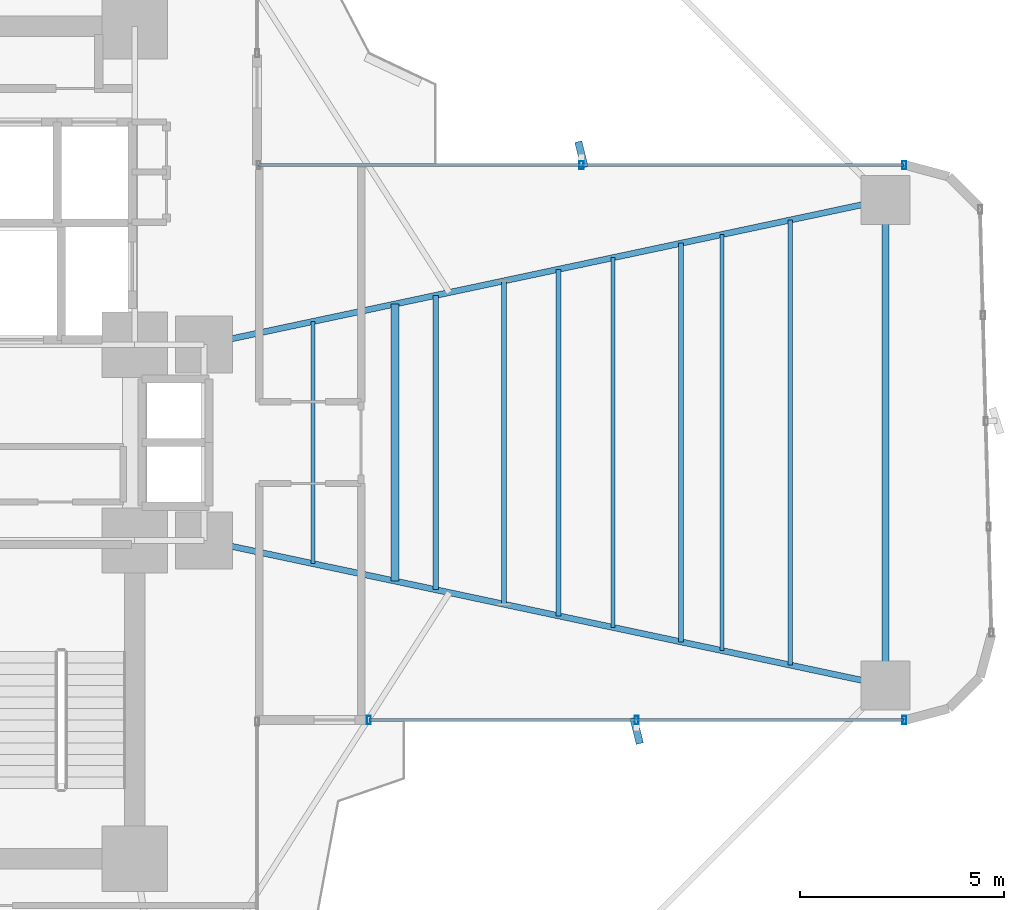
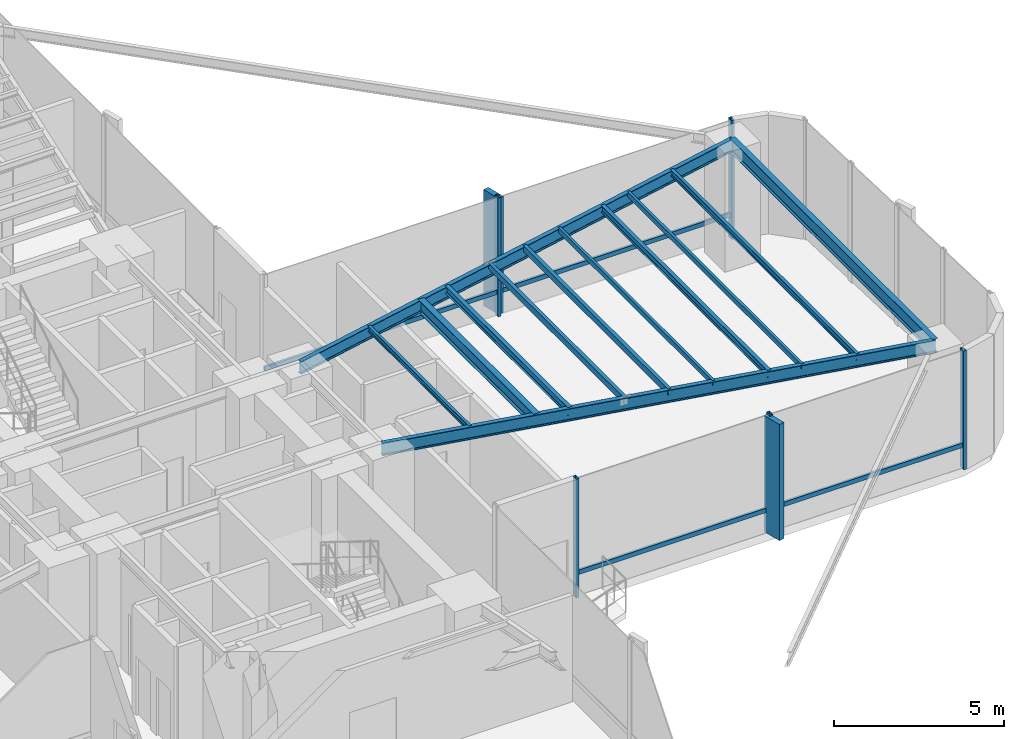
# One storey, part 9 of 20: 12 beams, 11 members, 2 elements without a shape of their own.
"""IFC4 building model written with IfcOpenShell, lengths in metres."""

from ifc_helpers import new_model, si_unit, direction, frame, origin, origin_2d, place, context, subcontext, project, spatial, rectangle, hollow_rectangle, i_section, extrude, source, transform, mapped, material, material_profile, profile_set, type_object, element, aggregate, save


model = new_model("IFC4")

# Units and contexts
model_context = context("Model", 3, precision=1e-05, world=origin(), true_north=direction((0.0, 1.0)))
body_context = subcontext(model_context, "Body", "Model", "MODEL_VIEW")
ifc_project = project(units=[si_unit("LENGTHUNIT", "METRE"), si_unit("AREAUNIT", "SQUARE_METRE"), si_unit("VOLUMEUNIT", "CUBIC_METRE"), si_unit("PLANEANGLEUNIT", "RADIAN"), si_unit("MASSUNIT", "GRAM", prefix="KILO")], contexts=[model_context])

# Site, building, storey
site_placement = place(None, origin())
site = spatial("IfcSite", under=ifc_project, at=site_placement, CompositionType="ELEMENT")
building_placement = place(site_placement, origin())
building = spatial("IfcBuilding", under=site, at=building_placement, Name="Sahyath Konkavel Grand Hotel", CompositionType="ELEMENT")
storey_placement = place(building_placement, frame((0.0, 0.0, 46.550048828125)))
storey = spatial("IfcBuildingStorey", under=building, at=storey_placement, Name="L12", CompositionType="ELEMENT", Elevation=46.550048828125)

# Beams
ifc_material_1 = material(Name="Steel E350", Category="steel")
ifc_material_profile_1 = material_profile(ifc_material_1, i_section(OverallWidth=0.179931640625, OverallDepth=0.5, WebThickness=0.01025390625, FlangeThickness=0.01708984375, FilletRadius=0.01708984375, at=origin_2d()), Name="ISMB 500")
ifc_profile_set_1 = profile_set([ifc_material_profile_1], Name="Steel E350")
beam_type_1 = type_object("IfcBeamType", Name="BM-ISMB500", PredefinedType="BEAM", material=ifc_profile_set_1)
shared_shape_1 = source(origin(), body_context, "Body", "SweptSolid", [
    extrude(i_section(OverallWidth=0.179931640625, OverallDepth=0.5, WebThickness=0.01025390625, FlangeThickness=0.01708984375, FilletRadius=0.01708984375, at=origin_2d()), origin(), (0.0, 0.0, 1.0), 11.89990234375),
])
beam_1_placement = place(storey_placement, frame((22.199951171875, -5.949951171875, 4.010009765625), z_axis=(0.0, 1.0, 0.0), x_axis=(-1.0, 0.0, 0.0)))
element("IfcBeam", 1, at=beam_1_placement, inside=storey, type_object=beam_type_1, Name="L12 Wing Tip Edge Beam E", PredefinedType="BEAM", context=body_context, shape_type="MappedRepresentation", body=[
    mapped(shared_shape_1, transform((0.0, 0.0, 0.0), scale=1.0)),
])
ifc_material_profile_2 = material_profile(ifc_material_1, i_section(OverallWidth=0.14990234375, OverallDepth=0.449951171875, WebThickness=0.009521484375, FlangeThickness=0.017333984375, FilletRadius=0.014892578125, at=origin_2d()), Name="ISMB 450")
ifc_profile_set_2 = profile_set([ifc_material_profile_2], Name="Steel E350")
beam_type_2 = type_object("IfcBeamType", Name="BM-ISMB450", PredefinedType="BEAM", material=ifc_profile_set_2)
shared_shape_2 = source(origin(), body_context, "Body", "SweptSolid", [
    extrude(i_section(OverallWidth=0.14990234375, OverallDepth=0.449951171875, WebThickness=0.009521484375, FlangeThickness=0.017333984375, FilletRadius=0.014892578125, at=origin_2d()), origin(), (0.0, 0.0, 1.0), 17.072998046875),
])
for number, where, z_axis, x_axis, name in (
    (2, (5.5, -2.39990234375, 4.034912109375), (0.978143257225, -0.20793212437, 0.0), (0.20793212437, 0.978143257225, 0.0), "L12 Cruciform Radial Girder EA"),
    (3, (5.5, 2.39990234375, 4.034912109375), (0.978143257225, 0.20793212437, 0.0), (-0.20793212437, 0.978143257225, 0.0), "L12 Cruciform Radial Girder EB"),
):
    element("IfcBeam", number, at=place(storey_placement, frame(where, z_axis=z_axis, x_axis=x_axis)), inside=storey, type_object=beam_type_2, Name=name, PredefinedType="BEAM", context=body_context, shape_type="MappedRepresentation", body=[
        mapped(shared_shape_2, transform((0.0, 0.0, 0.0), scale=1.0)),
    ])
ifc_material_profile_3 = material_profile(ifc_material_1, i_section(OverallWidth=0.199951171875, OverallDepth=0.449951171875, WebThickness=0.00927734375, FlangeThickness=0.015380859375, FilletRadius=0.01611328125, at=origin_2d()), Name="ISWB 450")
ifc_profile_set_3 = profile_set([ifc_material_profile_3], Name="Steel E350")
beam_type_3 = type_object("IfcBeamType", Name="BM-ISWB450", PredefinedType="BEAM", material=ifc_profile_set_3)
shared_shape_3 = source(origin(), body_context, "Body", "SweptSolid", [
    extrude(i_section(OverallWidth=0.199951171875, OverallDepth=0.449951171875, WebThickness=0.00927734375, FlangeThickness=0.015380859375, FilletRadius=0.01611328125, at=origin_2d()), origin(), (0.0, 0.0, 1.0), 6.7880859375),
])
beam_2_placement = place(storey_placement, frame((10.176025390625, -3.39404296875, 4.034912109375), z_axis=(0.0, 1.0, 0.0), x_axis=(-1.0, 0.0, 0.0)))
element("IfcBeam", 4, at=beam_2_placement, inside=storey, type_object=beam_type_3, Name="L12 Secondary Floor Beam E-1", PredefinedType="BEAM", context=body_context, shape_type="MappedRepresentation", body=[
    mapped(shared_shape_3, transform((0.0, 0.0, 0.0), scale=1.0)),
])
ifc_material_profile_4 = material_profile(ifc_material_1, hollow_rectangle(XDim=0.1201171875, YDim=0.219970703125, WallThickness=0.010009765625, at=origin_2d()), Name="RHS 220x120x10")
ifc_profile_set_4 = profile_set([ifc_material_profile_4], Name="Steel E350")
beam_type_4 = type_object("IfcBeamType", Name="BM-RHS220", PredefinedType="BEAM", material=ifc_profile_set_4)
shared_shape_4 = source(origin(), body_context, "Body", "SweptSolid", [
    extrude(hollow_rectangle(XDim=0.1201171875, YDim=0.219970703125, WallThickness=0.010009765625, at=origin_2d()), origin(), (0.0, 0.0, 1.0), 8.4921875),
])
beam_3_placement = place(storey_placement, frame((14.18408203125, -4.24609375, 4.14990234375), z_axis=(0.0, 1.0, 0.0), x_axis=(-1.0, 0.0, 0.0)))
element("IfcBeam", 5, at=beam_3_placement, inside=storey, type_object=beam_type_4, Name="L12 Secondary Floor Beam E-2", PredefinedType="BEAM", context=body_context, shape_type="MappedRepresentation", body=[
    mapped(shared_shape_4, transform((0.0, 0.0, 0.0), scale=1.0)),
])
ifc_material_profile_5 = material_profile(ifc_material_1, hollow_rectangle(XDim=0.090087890625, YDim=0.179931640625, WallThickness=0.008056640625, at=origin_2d()), Name="RHS 180x90x8")
ifc_profile_set_5 = profile_set([ifc_material_profile_5], Name="Steel E350")
beam_type_5 = type_object("IfcBeamType", Name="BM-RHS180", PredefinedType="BEAM", material=ifc_profile_set_5)
shared_shape_5 = source(origin(), body_context, "Body", "SweptSolid", [
    extrude(hollow_rectangle(XDim=0.090087890625, YDim=0.179931640625, WallThickness=0.008056640625, at=origin_2d()), origin(), (0.0, 0.0, 1.0), 10.19580078125),
])
beam_4_placement = place(storey_placement, frame((18.19189453125, -5.097900390625, 4.169921875), z_axis=(0.0, 1.0, 0.0), x_axis=(-1.0, 0.0, 0.0)))
element("IfcBeam", 6, at=beam_4_placement, inside=storey, type_object=beam_type_5, Name="L12 Secondary Floor Beam E-3", PredefinedType="BEAM", context=body_context, shape_type="MappedRepresentation", body=[
    mapped(shared_shape_5, transform((0.0, 0.0, 0.0), scale=1.0)),
])
ifc_material_profile_6 = material_profile(ifc_material_1, i_section(OverallWidth=0.10009765625, OverallDepth=0.199951171875, WebThickness=0.005615234375, FlangeThickness=0.0107421875, FilletRadius=0.010986328125, at=origin_2d()), Name="ISMB 200")
ifc_profile_set_6 = profile_set([ifc_material_profile_6], Name="Steel E350")
beam_type_6 = type_object("IfcBeamType", Name="BM-ISMB200", PredefinedType="BEAM", material=ifc_profile_set_6)
shared_shape_6 = source(origin(), body_context, "Body", "SweptSolid", [
    extrude(i_section(OverallWidth=0.10009765625, OverallDepth=0.199951171875, WebThickness=0.005615234375, FlangeThickness=0.0107421875, FilletRadius=0.010986328125, at=origin_2d()), origin(), (0.0, 0.0, 1.0), 5.93603515625),
])
beam_5_placement = place(storey_placement, frame((8.172119140625, -2.968017578125, 4.159912109375), z_axis=(0.0, 1.0, 0.0), x_axis=(-1.0, 0.0, 0.0)))
element("IfcBeam", 7, at=beam_5_placement, inside=storey, type_object=beam_type_6, Name="L12 Composite Deck Sub-Beam E-1", PredefinedType="BEAM", context=body_context, shape_type="MappedRepresentation", body=[
    mapped(shared_shape_6, transform((0.0, 0.0, 0.0), scale=1.0)),
])
ifc_material_profile_7 = material_profile(ifc_material_1, i_section(OverallWidth=0.139892578125, OverallDepth=0.27490234375, WebThickness=0.00634765625, FlangeThickness=0.0087890625, FilletRadius=0.012939453125, at=origin_2d()), Name="ISLB 275")
ifc_profile_set_7 = profile_set([ifc_material_profile_7], Name="Steel E350")
beam_type_7 = type_object("IfcBeamType", Name="BM-ISLB275", PredefinedType="BEAM", material=ifc_profile_set_7)
shared_shape_7 = source(origin(), body_context, "Body", "SweptSolid", [
    extrude(i_section(OverallWidth=0.139892578125, OverallDepth=0.27490234375, WebThickness=0.00634765625, FlangeThickness=0.0087890625, FilletRadius=0.012939453125, at=origin_2d()), origin(), (0.0, 0.0, 1.0), 7.2138671875),
])
beam_6_placement = place(storey_placement, frame((11.177978515625, -3.60693359375, 4.12255859375), z_axis=(0.0, 1.0, 0.0), x_axis=(-1.0, 0.0, 0.0)))
element("IfcBeam", 8, at=beam_6_placement, inside=storey, type_object=beam_type_7, Name="L12 Composite Deck Sub-Beam E-2", PredefinedType="BEAM", context=body_context, shape_type="MappedRepresentation", body=[
    mapped(shared_shape_7, transform((0.0, 0.0, 0.0), scale=1.0)),
])
shared_shape_8 = source(origin(), body_context, "Body", "SweptSolid", [
    extrude(hollow_rectangle(XDim=0.1201171875, YDim=0.219970703125, WallThickness=0.010009765625, at=origin_2d()), origin(), (0.0, 0.0, 1.0), 7.923828125),
])
beam_7_placement = place(storey_placement, frame((12.847900390625, -3.9619140625, 4.14990234375), z_axis=(0.0, 1.0, 0.0), x_axis=(-1.0, 0.0, 0.0)))
element("IfcBeam", 9, at=beam_7_placement, inside=storey, type_object=beam_type_4, Name="L12 Composite Deck Sub-Beam E-3", PredefinedType="BEAM", context=body_context, shape_type="MappedRepresentation", body=[
    mapped(shared_shape_8, transform((0.0, 0.0, 0.0), scale=1.0)),
])
shared_shape_9 = source(origin(), body_context, "Body", "SweptSolid", [
    extrude(hollow_rectangle(XDim=0.090087890625, YDim=0.179931640625, WallThickness=0.008056640625, at=origin_2d()), origin(), (0.0, 0.0, 1.0), 9.06005859375),
])
beam_8_placement = place(storey_placement, frame((15.52001953125, -4.530029296875, 4.169921875), z_axis=(0.0, 1.0, 0.0), x_axis=(-1.0, 0.0, 0.0)))
element("IfcBeam", 10, at=beam_8_placement, inside=storey, type_object=beam_type_5, Name="L12 Composite Deck Sub-Beam E-4", PredefinedType="BEAM", context=body_context, shape_type="MappedRepresentation", body=[
    mapped(shared_shape_9, transform((0.0, 0.0, 0.0), scale=1.0)),
])
ifc_material_profile_8 = material_profile(ifc_material_1, i_section(OverallWidth=0.125, OverallDepth=0.25, WebThickness=0.0068359375, FlangeThickness=0.012451171875, FilletRadius=0.012939453125, at=origin_2d()), Name="ISMB 250")
ifc_profile_set_8 = profile_set([ifc_material_profile_8], Name="Steel E350")
beam_type_8 = type_object("IfcBeamType", Name="BM-ISMB250", PredefinedType="BEAM", material=ifc_profile_set_8)
shared_shape_10 = source(origin(), body_context, "Body", "SweptSolid", [
    extrude(i_section(OverallWidth=0.125, OverallDepth=0.25, WebThickness=0.0068359375, FlangeThickness=0.012451171875, FilletRadius=0.012939453125, at=origin_2d()), origin(), (0.0, 0.0, 1.0), 9.77001953125),
])
beam_9_placement = place(storey_placement, frame((17.18994140625, -4.885009765625, 4.135009765625), z_axis=(0.0, 1.0, 0.0), x_axis=(-1.0, 0.0, 0.0)))
element("IfcBeam", 11, at=beam_9_placement, inside=storey, type_object=beam_type_8, Name="L12 Composite Deck Sub-Beam E-5", PredefinedType="BEAM", context=body_context, shape_type="MappedRepresentation", body=[
    mapped(shared_shape_10, transform((0.0, 0.0, 0.0), scale=1.0)),
])
ifc_material_profile_9 = material_profile(ifc_material_1, i_section(OverallWidth=0.110107421875, OverallDepth=0.22509765625, WebThickness=0.006591796875, FlangeThickness=0.01171875, FilletRadius=0.011962890625, at=origin_2d()), Name="ISMB 225")
ifc_profile_set_9 = profile_set([ifc_material_profile_9], Name="Steel E350")
beam_type_9 = type_object("IfcBeamType", Name="BM-ISMB225", PredefinedType="BEAM", material=ifc_profile_set_9)
shared_shape_11 = source(origin(), body_context, "Body", "SweptSolid", [
    extrude(i_section(OverallWidth=0.110107421875, OverallDepth=0.22509765625, WebThickness=0.006591796875, FlangeThickness=0.01171875, FilletRadius=0.011962890625, at=origin_2d()), origin(), (0.0, 0.0, 1.0), 10.90576171875),
])
beam_10_placement = place(storey_placement, frame((19.862060546875, -5.452880859375, 4.1474609375), z_axis=(0.0, 1.0, 0.0), x_axis=(-1.0, 0.0, 0.0)))
element("IfcBeam", 12, at=beam_10_placement, inside=storey, type_object=beam_type_9, Name="L12 Composite Deck Sub-Beam E-6", PredefinedType="BEAM", context=body_context, shape_type="MappedRepresentation", body=[
    mapped(shared_shape_11, transform((0.0, 0.0, 0.0), scale=1.0)),
])

# Curtain wall, members
ifc_material_2 = material(Name="Anodised Bronze Aluminium & Low-E Glazing", Category="aluminium")
curtain_wall_type = type_object("IfcCurtainWallType", Name="CW-SKYLOBBY", PredefinedType="NOTDEFINED", material=ifc_material_2)
curtain_wall_1_placement = place(storey_placement, origin())
curtain_wall_1 = element("IfcCurtainWall", 13, at=curtain_wall_1_placement, inside=storey, type_object=curtain_wall_type, Name="L12 Unitised Curtain Wall F0", PredefinedType="NOTDEFINED")
ifc_material_3 = material(Name="Anodised Bronze Aluminium", Category="aluminium")
ifc_material_profile_10 = material_profile(ifc_material_3, hollow_rectangle(XDim=0.10009765625, YDim=0.199951171875, WallThickness=0.008056640625, at=origin_2d()), Name="RHS 200x100x8")
ifc_profile_set_10 = profile_set([ifc_material_profile_10], Name="Anodised Bronze Aluminium")
member_type_1 = type_object("IfcMemberType", Name="CW-MUL-200", PredefinedType="MULLION", material=ifc_profile_set_10)
shared_shape_12 = source(origin(), body_context, "Body", "SweptSolid", [
    extrude(hollow_rectangle(XDim=0.10009765625, YDim=0.199951171875, WallThickness=0.008056640625, at=origin_2d()), origin(), (0.0, 0.0, 1.0), 4.260009765625),
])
member_1_placement = place(storey_placement, frame((9.5400390625, -6.800048828125, 0.0), z_axis=(0.0, 0.0, 1.0), x_axis=(1.0, 0.0, 0.0)))
member_1 = element("IfcMember", 14, at=member_1_placement, type_object=member_type_1, Name="L12 Curtain Wall Mullion F0-0", PredefinedType="MULLION", context=body_context, shape_type="MappedRepresentation", body=[
    mapped(shared_shape_12, transform((0.0, 0.0, 0.0), scale=1.0)),
])
member_2_placement = place(storey_placement, frame((16.10009765625, -6.800048828125, 0.0), z_axis=(0.0, 0.0, 1.0), x_axis=(1.0, 0.0, 0.0)))
member_2 = element("IfcMember", 15, at=member_2_placement, type_object=member_type_1, Name="L12 Curtain Wall Mullion F0-1", PredefinedType="MULLION", context=body_context, shape_type="MappedRepresentation", body=[
    mapped(shared_shape_12, transform((0.0, 0.0, 0.0), scale=1.0)),
])
member_3_placement = place(storey_placement, frame((22.659912109375, -6.800048828125, 0.0), z_axis=(0.0, 0.0, 1.0), x_axis=(1.0, 0.0, 0.0)))
member_3 = element("IfcMember", 16, at=member_3_placement, type_object=member_type_1, Name="L12 Curtain Wall Mullion F0-2", PredefinedType="MULLION", context=body_context, shape_type="MappedRepresentation", body=[
    mapped(shared_shape_12, transform((0.0, 0.0, 0.0), scale=1.0)),
])

curtain_wall_2_placement = place(storey_placement, origin())
curtain_wall_2 = element("IfcCurtainWall", 17, at=curtain_wall_2_placement, inside=storey, type_object=curtain_wall_type, Name="L12 Unitised Curtain Wall F7", PredefinedType="NOTDEFINED")
member_4_placement = place(storey_placement, frame((22.659912109375, 6.800048828125, 0.0), z_axis=(0.0, 0.0, 1.0), x_axis=(1.0, 0.0, 0.0)))
member_4 = element("IfcMember", 18, at=member_4_placement, type_object=member_type_1, Name="L12 Curtain Wall Mullion F7-0", PredefinedType="MULLION", context=body_context, shape_type="MappedRepresentation", body=[
    mapped(shared_shape_12, transform((0.0, 0.0, 0.0), scale=1.0)),
])
member_5_placement = place(storey_placement, frame((14.75, 6.800048828125, 0.0), z_axis=(0.0, 0.0, 1.0), x_axis=(1.0, 0.0, 0.0)))
member_5 = element("IfcMember", 19, at=member_5_placement, type_object=member_type_1, Name="L12 Curtain Wall Mullion F7-1", PredefinedType="MULLION", context=body_context, shape_type="MappedRepresentation", body=[
    mapped(shared_shape_12, transform((0.0, 0.0, 0.0), scale=1.0)),
])
ifc_material_profile_11 = material_profile(ifc_material_3, hollow_rectangle(XDim=0.080078125, YDim=0.159912109375, WallThickness=0.006103515625, at=origin_2d()), Name="RHS 160x80x6")
ifc_profile_set_11 = profile_set([ifc_material_profile_11], Name="Anodised Bronze Aluminium")
member_type_2 = type_object("IfcMemberType", Name="CW-TRN-160", PredefinedType="USERDEFINED", material=ifc_profile_set_11)
shared_shape_13 = source(origin(), body_context, "Body", "SweptSolid", [
    extrude(hollow_rectangle(XDim=0.080078125, YDim=0.159912109375, WallThickness=0.006103515625, at=origin_2d()), origin(), (0.0, 0.0, 1.0), 7.909912109375),
])
member_6_placement = place(storey_placement, frame((22.659912109375, 6.800048828125, 0.849853515625), z_axis=(-1.0, 0.0, 0.0), x_axis=(0.0, -1.0, 0.0)))
member_6 = element("IfcMember", 20, at=member_6_placement, type_object=member_type_2, Name="L12 Curtain Wall Transom F7-0-spandrel", ObjectType="TRANSOM", PredefinedType="USERDEFINED", context=body_context, shape_type="MappedRepresentation", body=[
    mapped(shared_shape_13, transform((0.0, 0.0, 0.0), scale=1.0)),
])
member_7_placement = place(storey_placement, frame((14.75, 6.800048828125, 0.849853515625), z_axis=(-1.0, 0.0, 0.0), x_axis=(0.0, -1.0, 0.0)))
member_7 = element("IfcMember", 21, at=member_7_placement, type_object=member_type_2, Name="L12 Curtain Wall Transom F7-1-spandrel", ObjectType="TRANSOM", PredefinedType="USERDEFINED", context=body_context, shape_type="MappedRepresentation", body=[
    mapped(shared_shape_13, transform((0.0, 0.0, 0.0), scale=1.0)),
])

# Member
shared_shape_14 = source(origin(), body_context, "Body", "SweptSolid", [
    extrude(hollow_rectangle(XDim=0.080078125, YDim=0.159912109375, WallThickness=0.006103515625, at=origin_2d()), origin(), (0.0, 0.0, 1.0), 6.56005859375),
])
member_8_placement = place(storey_placement, frame((9.5400390625, -6.800048828125, 0.849853515625), z_axis=(1.0, 0.0, 0.0), x_axis=(0.0, 1.0, 0.0)))
member_8 = element("IfcMember", 22, at=member_8_placement, type_object=member_type_2, Name="L12 Curtain Wall Transom F0-0-spandrel", ObjectType="TRANSOM", PredefinedType="USERDEFINED", context=body_context, shape_type="MappedRepresentation", body=[
    mapped(shared_shape_14, transform((0.0, 0.0, 0.0), scale=1.0)),
])

shared_shape_15 = source(origin(), body_context, "Body", "SweptSolid", [
    extrude(hollow_rectangle(XDim=0.080078125, YDim=0.159912109375, WallThickness=0.006103515625, at=origin_2d()), origin(), (0.0, 0.0, 1.0), 6.559814453125),
])
member_9_placement = place(storey_placement, frame((16.10009765625, -6.800048828125, 0.849853515625), z_axis=(1.0, 0.0, 0.0), x_axis=(0.0, 1.0, 0.0)))
member_9 = element("IfcMember", 23, at=member_9_placement, type_object=member_type_2, Name="L12 Curtain Wall Transom F0-1-spandrel", ObjectType="TRANSOM", PredefinedType="USERDEFINED", context=body_context, shape_type="MappedRepresentation", body=[
    mapped(shared_shape_15, transform((0.0, 0.0, 0.0), scale=1.0)),
])

ifc_material_4 = material(Name="Warm Buff Sandstone Cladding on Concrete C50/60", Category="masonry")
ifc_material_profile_12 = material_profile(ifc_material_4, rectangle(XDim=0.179931640625, YDim=0.64990234375, at=origin_2d()), Name="FIN 180x650")
ifc_profile_set_12 = profile_set([ifc_material_profile_12], Name="Warm Buff Sandstone Cladding on Concrete C50/60")
member_type_3 = type_object("IfcMemberType", Name="FIN-SANDSTONE-650", PredefinedType="MULLION", material=ifc_profile_set_12)
shared_shape_16 = source(origin(), body_context, "Body", "SweptSolid", [
    extrude(rectangle(XDim=0.179931640625, YDim=0.64990234375, at=origin_2d()), origin(), (0.0, 0.0, 1.0), 4.159912109375),
])
member_10_placement = place(storey_placement, frame((16.10009765625, -7.06005859375, 0.050048828125), z_axis=(0.0, 0.0, 1.0), x_axis=(0.970084240161, 0.242768546132, 0.0)))
member_10 = element("IfcMember", 24, at=member_10_placement, type_object=member_type_3, Name="L12 Sandstone Vertical Solar Fin FIN F0-1", PredefinedType="MULLION", context=body_context, shape_type="MappedRepresentation", body=[
    mapped(shared_shape_16, transform((0.0, 0.0, 0.0), scale=1.0)),
])

aggregate(curtain_wall_1, [member_1, member_2, member_10, member_3, member_8, member_9])

member_11_placement = place(storey_placement, frame((14.75, 7.06005859375, 0.050048828125), z_axis=(0.0, 0.0, 1.0), x_axis=(0.970084240161, 0.242768546132, 0.0)))
member_11 = element("IfcMember", 25, at=member_11_placement, type_object=member_type_3, Name="L12 Sandstone Vertical Solar Fin FIN F7-1", PredefinedType="MULLION", context=body_context, shape_type="MappedRepresentation", body=[
    mapped(shared_shape_16, transform((0.0, 0.0, 0.0), scale=1.0)),
])

aggregate(curtain_wall_2, [member_4, member_5, member_11, member_6, member_7])

save(model, "model.ifc")
